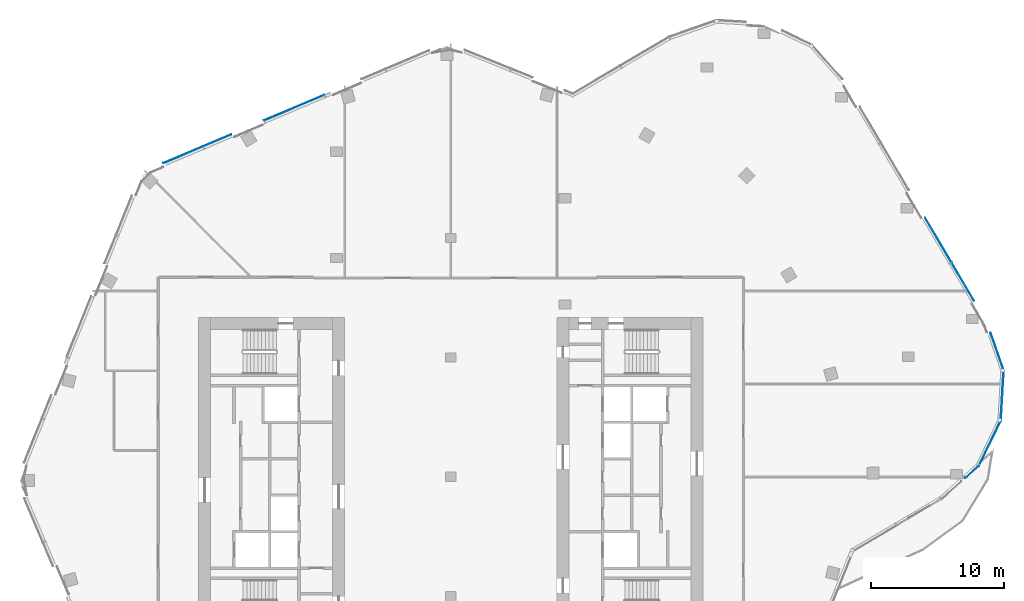
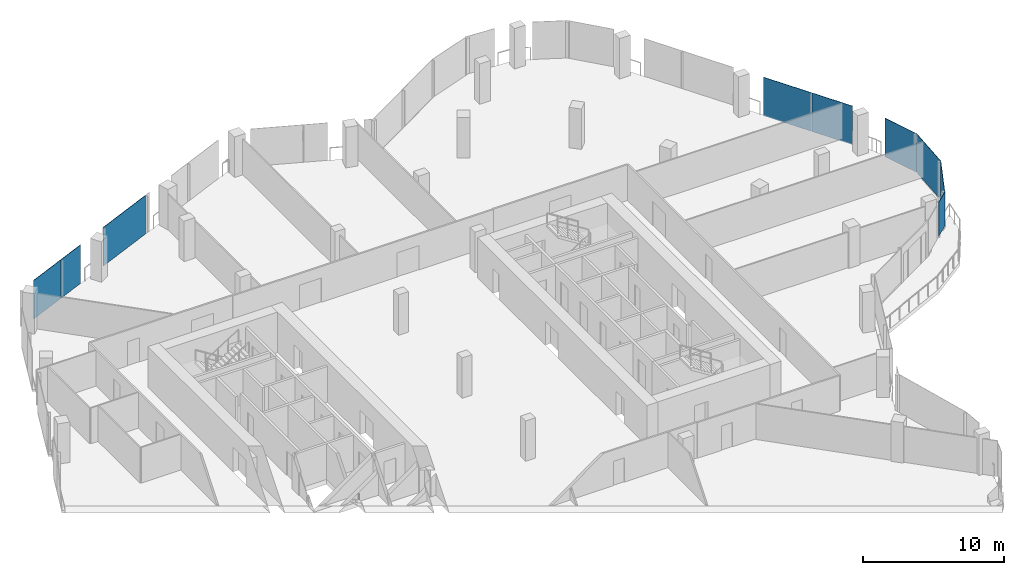
# One storey, part 16 of 26: 9 plates, 6 elements without a shape of their own.
"""IFC4 building model written with IfcOpenShell, lengths in metres."""

from ifc_helpers import new_model, si_unit, direction, frame, origin, origin_2d, place, context, subcontext, project, spatial, rectangle, extrude, material, layer, layer_set, type_object, element, aggregate, save


model = new_model("IFC4")

# Units and contexts
model_context = context("Model", 3, precision=1e-05, world=origin(), true_north=direction((0.0, 1.0)))
body_context = subcontext(model_context, "Body", "Model", "MODEL_VIEW")
ifc_project = project(units=[si_unit("LENGTHUNIT", "METRE"), si_unit("AREAUNIT", "SQUARE_METRE"), si_unit("VOLUMEUNIT", "CUBIC_METRE"), si_unit("PLANEANGLEUNIT", "RADIAN"), si_unit("MASSUNIT", "GRAM", prefix="KILO")], contexts=[model_context])

# Site, building, storey
site_placement = place(None, origin())
site = spatial("IfcSite", under=ifc_project, at=site_placement, CompositionType="ELEMENT")
building_placement = place(site_placement, origin())
building = spatial("IfcBuilding", under=site, at=building_placement, Name="Orlundy Tower", CompositionType="ELEMENT")
storey_placement = place(building_placement, frame((0.0, 0.0, 275.39990234375)))
storey = spatial("IfcBuildingStorey", under=building, at=storey_placement, Name="L73", CompositionType="ELEMENT", Elevation=275.39990234375)

# Curtain wall, plates
ifc_material_1 = material(Name="Aluminium bronze anodised", Category="aluminium")
curtain_wall_type = type_object("IfcCurtainWallType", Name="CW6 wall", PredefinedType="NOTDEFINED", material=ifc_material_1)
curtain_wall_1_placement = place(storey_placement, origin())
curtain_wall_1 = element("IfcCurtainWall", 1, at=curtain_wall_1_placement, inside=storey, type_object=curtain_wall_type, Name="CW6 run 016", PredefinedType="NOTDEFINED")
ifc_material_2 = material(Name="Tinted glass", Category="glass")
ifc_layer = layer(ifc_material_2, 0.035888671875)
ifc_layer_set = layer_set([ifc_layer], Name="CW6 glass panel 36")
plate_type = type_object("IfcPlateType", Name="CW6 glass panel 36", PredefinedType="CURTAIN_PANEL", material=ifc_layer_set)
plate_1_placement = place(storey_placement, frame((-20.17236328125, 24.269775390625, -0.23974609375), z_axis=(0.0, 0.0, 1.0), x_axis=(0.920506804854, 0.390726531244, 0.0)))
plate_1 = element("IfcPlate", 2, at=plate_1_placement, type_object=plate_type, Name="CW6 panel", PredefinedType="CURTAIN_PANEL", context=body_context, shape_type="SweptSolid", body=[
    extrude(rectangle(XDim=3.20947265625, YDim=0.035888671875, at=origin_2d()), origin(), (0.0, 0.0, 1.0), 3.340087890625),
])
plate_2_placement = place(storey_placement, frame((-17.599365234375, 25.36181640625, -0.23974609375), z_axis=(0.0, 0.0, 1.0), x_axis=(0.920506804854, 0.390726531244, 0.0)))
plate_2 = element("IfcPlate", 3, at=plate_2_placement, type_object=plate_type, Name="CW6 panel", PredefinedType="CURTAIN_PANEL", context=body_context, shape_type="SweptSolid", body=[
    extrude(rectangle(XDim=2.28076171875, YDim=0.035888671875, at=origin_2d()), origin(), (0.0, 0.0, 1.0), 3.340087890625),
])
plate_3_placement = place(storey_placement, frame((-11.808837890625, 27.81982421875, -0.23974609375), z_axis=(0.0, 0.0, 1.0), x_axis=(0.920506804854, 0.390726531244, 0.0)))
plate_3 = element("IfcPlate", 4, at=plate_3_placement, type_object=plate_type, Name="CW6 panel", PredefinedType="CURTAIN_PANEL", context=body_context, shape_type="SweptSolid", body=[
    extrude(rectangle(XDim=4.920654296875, YDim=0.035888671875, at=origin_2d()), origin(), (0.0, 0.0, 1.0), 3.340087890625),
])
aggregate(curtain_wall_1, [plate_1, plate_2, plate_3])

curtain_wall_2_placement = place(storey_placement, origin())
curtain_wall_2 = element("IfcCurtainWall", 5, at=curtain_wall_2_placement, inside=storey, type_object=curtain_wall_type, Name="CW6 run 023", PredefinedType="NOTDEFINED")
plate_4_placement = place(storey_placement, frame((36.74755859375, 17.848876953125, -0.23974609375), z_axis=(0.0, 0.0, 1.0), x_axis=(0.507531980737, -0.861632919827, 0.0)))
plate_4 = element("IfcPlate", 6, at=plate_4_placement, type_object=plate_type, Name="CW6 panel", PredefinedType="CURTAIN_PANEL", context=body_context, shape_type="SweptSolid", body=[
    extrude(rectangle(XDim=3.90673828125, YDim=0.035888671875, at=origin_2d()), origin(), (0.0, 0.0, 1.0), 3.340087890625),
])
plate_5_placement = place(storey_placement, frame((38.60107421875, 14.7021484375, -0.23974609375), z_axis=(0.0, 0.0, 1.0), x_axis=(0.507531980737, -0.861632919827, 0.0)))
plate_5 = element("IfcPlate", 7, at=plate_5_placement, type_object=plate_type, Name="CW6 panel", PredefinedType="CURTAIN_PANEL", context=body_context, shape_type="SweptSolid", body=[
    extrude(rectangle(XDim=3.297119140625, YDim=0.035888671875, at=origin_2d()), origin(), (0.0, 0.0, 1.0), 3.340087890625),
])
aggregate(curtain_wall_2, [plate_4, plate_5])

# Curtain wall, plate
curtain_wall_3_placement = place(storey_placement, origin())
curtain_wall_3 = element("IfcCurtainWall", 8, at=curtain_wall_3_placement, inside=storey, type_object=curtain_wall_type, Name="CW6 run 024", PredefinedType="NOTDEFINED")
plate_6_placement = place(storey_placement, frame((41.180908203125, 9.444091796875, -0.23974609375), z_axis=(0.0, 0.0, 1.0), x_axis=(0.32971337085, -0.944081083956, 0.0)))
plate_6 = element("IfcPlate", 9, at=plate_6_placement, type_object=plate_type, Name="CW6 panel", PredefinedType="CURTAIN_PANEL", context=body_context, shape_type="SweptSolid", body=[
    extrude(rectangle(XDim=2.973388671875, YDim=0.035888671875, at=origin_2d()), origin(), (0.0, 0.0, 1.0), 3.340087890625),
])
aggregate(curtain_wall_3, [plate_6])

curtain_wall_4_placement = place(storey_placement, origin())
curtain_wall_4 = element("IfcCurtainWall", 10, at=curtain_wall_4_placement, inside=storey, type_object=curtain_wall_type, Name="CW6 run 025", PredefinedType="NOTDEFINED")
plate_7_placement = place(storey_placement, frame((41.563720703125, 6.14599609375, -0.23974609375), z_axis=(0.0, 0.0, 1.0), x_axis=(-0.056650299193, -0.998394082315, 0.0)))
plate_7 = element("IfcPlate", 11, at=plate_7_placement, type_object=plate_type, Name="CW6 panel", PredefinedType="CURTAIN_PANEL", context=body_context, shape_type="SweptSolid", body=[
    extrude(rectangle(XDim=3.795166015625, YDim=0.035888671875, at=origin_2d()), origin(), (0.0, 0.0, 1.0), 3.340087890625),
])
aggregate(curtain_wall_4, [plate_7])

curtain_wall_5_placement = place(storey_placement, origin())
curtain_wall_5 = element("IfcCurtainWall", 12, at=curtain_wall_5_placement, inside=storey, type_object=curtain_wall_type, Name="CW6 run 026", PredefinedType="NOTDEFINED")
plate_8_placement = place(storey_placement, frame((40.632080078125, 2.5419921875, 0.16015625), z_axis=(0.0, 0.0, 1.0), x_axis=(-0.434326546158, -0.900755489188, 0.0)))
plate_8 = element("IfcPlate", 13, at=plate_8_placement, type_object=plate_type, Name="CW6 panel", PredefinedType="CURTAIN_PANEL", context=body_context, shape_type="SweptSolid", body=[
    extrude(rectangle(XDim=3.795166015625, YDim=0.035888671875, at=origin_2d()), origin(), (0.0, 0.0, 1.0), 2.93994140625),
])
aggregate(curtain_wall_5, [plate_8])

curtain_wall_6_placement = place(storey_placement, origin())
curtain_wall_6 = element("IfcCurtainWall", 14, at=curtain_wall_6_placement, inside=storey, type_object=curtain_wall_type, Name="CW6 run 027", PredefinedType="NOTDEFINED")
plate_9_placement = place(storey_placement, frame((39.29296875, 0.373291015625, 0.16015625), z_axis=(0.0, 0.0, 1.0), x_axis=(-0.746157794518, -0.665769138425, 0.0)))
plate_9 = element("IfcPlate", 15, at=plate_9_placement, type_object=plate_type, Name="CW6 panel", PredefinedType="CURTAIN_PANEL", context=body_context, shape_type="SweptSolid", body=[
    extrude(rectangle(XDim=1.380126953125, YDim=0.035888671875, at=origin_2d()), origin(), (0.0, 0.0, 1.0), 2.93994140625),
])
aggregate(curtain_wall_6, [plate_9])

save(model, "model.ifc")
